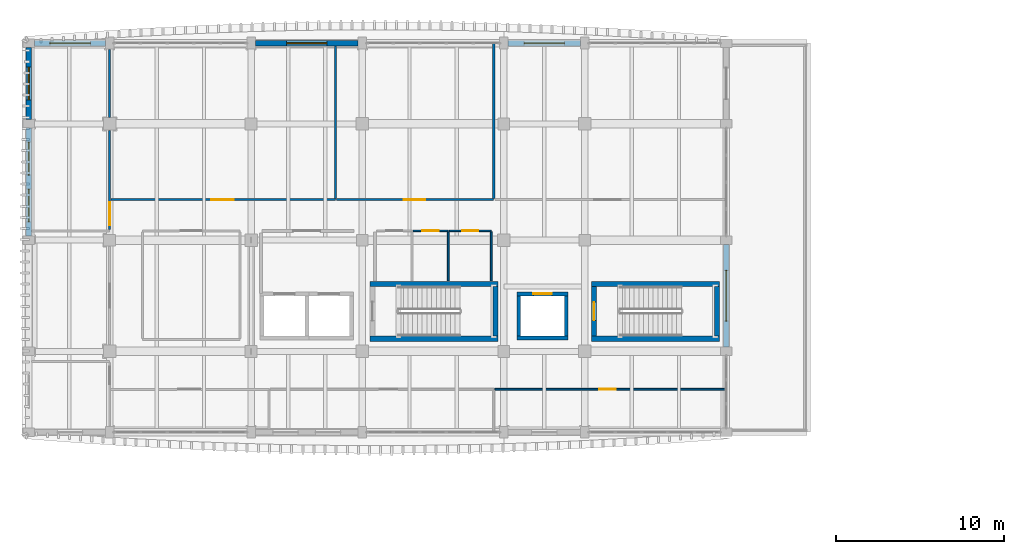
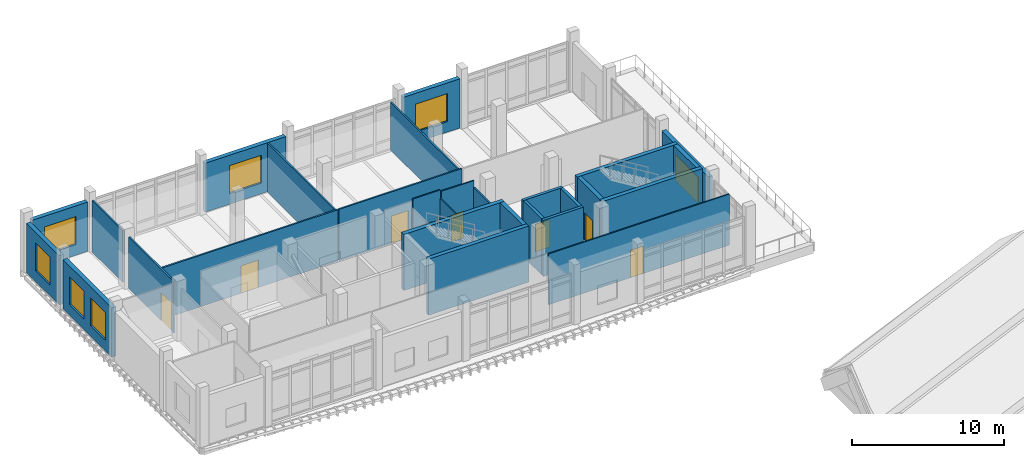
# One storey, part 28 of 50: 28 walls, 8 doors, 7 windows, 15 openings.
"""IFC4 building model written with IfcOpenShell, lengths in metres."""

from ifc_helpers import new_model, si_unit, direction, frame, frame_2d, origin, place, context, subcontext, project, spatial, rectangle, extrude, material, layer, layer_set, type_object, element, fill, save


model = new_model("IFC4")

# Units and contexts
model_context = context("Model", 3, precision=1e-05, world=origin(), true_north=direction((0.0, 1.0)))
body_context = subcontext(model_context, "Body", "Model", "MODEL_VIEW")
ifc_project = project(units=[si_unit("LENGTHUNIT", "METRE"), si_unit("AREAUNIT", "SQUARE_METRE"), si_unit("VOLUMEUNIT", "CUBIC_METRE"), si_unit("PLANEANGLEUNIT", "RADIAN"), si_unit("MASSUNIT", "GRAM", prefix="KILO")], contexts=[model_context])

# Site, building, storey
site_placement = place(None, origin())
site = spatial("IfcSite", under=ifc_project, at=site_placement, CompositionType="ELEMENT")
building_placement = place(site_placement, origin())
building = spatial("IfcBuilding", under=site, at=building_placement, Name="Dornvale Research Institute", CompositionType="ELEMENT")
storey_placement = place(building_placement, frame((0.0, 0.0, 19.800048828125)))
storey = spatial("IfcBuildingStorey", under=building, at=storey_placement, Name="L04", CompositionType="ELEMENT", Elevation=19.800048828125)

# Wall, opening, door
ifc_material_1 = material(Name="Acoustic Insulated Double-Stud Laboratory Partition")
ifc_layer_1 = layer(ifc_material_1, 0.1201171875)
ifc_layer_set_1 = layer_set([ifc_layer_1], Name="Acoustic Insulated Double-Stud Laboratory Partition")
wall_type_1 = type_object("IfcWallType", Name="Partition_Dry_120", PredefinedType="PARTITIONING", material=ifc_layer_set_1)
wall_1_placement = place(storey_placement, frame((4.800048828125, 111.02490234375, 0.0), z_axis=(0.0, 0.0, 1.0), x_axis=(0.0, 1.0, 0.0)))
wall_1 = element("IfcWall", 1, at=wall_1_placement, inside=storey, type_object=wall_type_1, Name="L04 V5 interior partition #413", PredefinedType="PARTITIONING", context=body_context, shape_type="SweptSolid", body=[
    extrude(rectangle(XDim=5.880126953125, YDim=0.1201171875, at=frame_2d((2.93994140625, 0.0))), origin(), (0.0, 0.0, 1.0), 4.1298828125),
])
opening_1_placement = place(wall_1_placement, frame((0.25, 0.0, 0.0)))
opening_1 = element("IfcOpeningElement", 2, at=opening_1_placement, cuts=wall_1, Name="Opening ID-08", PredefinedType="OPENING", context=body_context, shape_type="SweptSolid", body=[
    extrude(rectangle(XDim=1.3798828125, YDim=2.25, at=frame_2d((0.68994140625, 1.125))), frame((0.0, 0.074951171875, 0.0), z_axis=(0.0, -1.0, 0.0), x_axis=(1.0, 0.0, 0.0)), (0.0, 0.0, 1.0), 0.150146484375),
])
ifc_material_2 = material(Name="Insulated Fire-Rated Hollow Metal Door Assembly")
door_type_1 = type_object("IfcDoorType", Name="Door_DryLab_1380x2250", OperationType="SINGLE_SWING_LEFT", PredefinedType="DOOR", material=ifc_material_2)
door_1_placement = place(opening_1_placement, origin())
door_1 = element("IfcDoor", 3, at=door_1_placement, inside=storey, type_object=door_type_1, Name="L04 Climate Dynamics Simulation Laboratory West Alcove door #166", OperationType="SINGLE_SWING_LEFT", OverallHeight=2.25, OverallWidth=1.3798828125, PredefinedType="DOOR", context=body_context, shape_type="SweptSolid", body=[
    extrude(rectangle(XDim=1.3798828125, YDim=2.25, at=frame_2d((0.68994140625, 1.125))), frame((0.0, 0.02490234375, 0.0), z_axis=(0.0, -1.0, 0.0), x_axis=(1.0, 0.0, 0.0)), (0.0, 0.0, 1.0), 0.050048828125),
])
fill(opening_1, door_1)

# Wall
wall_2_placement = place(storey_placement, frame((4.800048828125, 117.695068359375, 0.0), z_axis=(0.0, 0.0, 1.0), x_axis=(0.0, 1.0, 0.0)))
element("IfcWall", 4, at=wall_2_placement, inside=storey, type_object=wall_type_1, Name="L04 V5 interior partition #414", PredefinedType="PARTITIONING", context=body_context, shape_type="SweptSolid", body=[
    extrude(rectangle(XDim=4.034912109375, YDim=0.1201171875, at=frame_2d((2.017578125, 0.0))), origin(), (0.0, 0.0, 1.0), 4.1298828125),
])

# Wall, opening, door
wall_3_placement = place(storey_placement, frame((4.875, 112.800048828125, 0.0), z_axis=(0.0, 0.0, 1.0), x_axis=(1.0, 0.0, 0.0)))
wall_3 = element("IfcWall", 5, at=wall_3_placement, inside=storey, type_object=wall_type_1, Name="L04 V5 interior partition #415", PredefinedType="PARTITIONING", context=body_context, shape_type="SweptSolid", body=[
    extrude(rectangle(XDim=13.324951171875, YDim=0.1201171875, at=frame_2d((6.66259765625, 0.0))), origin(), (0.0, 0.0, 1.0), 4.1298828125),
])
opening_2_placement = place(wall_3_placement, frame((5.965087890625, 0.0, 0.0)))
opening_2 = element("IfcOpeningElement", 6, at=opening_2_placement, cuts=wall_3, Name="Opening ID-09", PredefinedType="OPENING", context=body_context, shape_type="SweptSolid", body=[
    extrude(rectangle(XDim=1.320068359375, YDim=2.199951171875, at=frame_2d((0.66015625, 1.10009765625))), frame((0.0, 0.074951171875, 0.0), z_axis=(0.0, -1.0, 0.0), x_axis=(1.0, 0.0, 0.0)), (0.0, 0.0, 1.0), 0.150146484375),
])
ifc_material_3 = material(Name="Phenolic-Faced Solid-Core Laboratory Door Assembly")
door_type_2 = type_object("IfcDoorType", Name="Door_DryLab_1320x2200", OperationType="SINGLE_SWING_LEFT", PredefinedType="DOOR", material=ifc_material_3)
door_2_placement = place(opening_2_placement, origin())
door_2 = element("IfcDoor", 7, at=door_2_placement, inside=storey, type_object=door_type_2, Name="L04 Climate Dynamics Simulation Laboratory door #167", OperationType="SINGLE_SWING_RIGHT", OverallHeight=2.199951171875, OverallWidth=1.320068359375, PredefinedType="DOOR", context=body_context, shape_type="SweptSolid", body=[
    extrude(rectangle(XDim=1.320068359375, YDim=2.199951171875, at=frame_2d((0.66015625, 1.10009765625))), frame((0.0, 0.02490234375, 0.0), z_axis=(0.0, -1.0, 0.0), x_axis=(1.0, 0.0, 0.0)), (0.0, 0.0, 1.0), 0.050048828125),
])
fill(opening_2, door_2)

# Wall
wall_4_placement = place(storey_placement, frame((18.199951171875, 112.875, 0.0), z_axis=(0.0, 0.0, 1.0), x_axis=(0.0, 1.0, 0.0)))
element("IfcWall", 8, at=wall_4_placement, inside=storey, type_object=wall_type_1, Name="L04 V5 interior partition #416", PredefinedType="PARTITIONING", context=body_context, shape_type="SweptSolid", body=[
    extrude(rectangle(XDim=9.050048828125, YDim=0.1201171875, at=frame_2d((4.52490234375, 0.0))), origin(), (0.0, 0.0, 1.0), 3.929931640625),
])

# Wall, opening, door
wall_5_placement = place(storey_placement, frame((18.27490234375, 112.800048828125, 0.0), z_axis=(0.0, 0.0, 1.0), x_axis=(1.0, 0.0, 0.0)))
wall_5 = element("IfcWall", 9, at=wall_5_placement, inside=storey, type_object=wall_type_1, Name="L04 V5 interior partition #417", PredefinedType="PARTITIONING", context=body_context, shape_type="SweptSolid", body=[
    extrude(rectangle(XDim=9.3251953125, YDim=0.1201171875, at=frame_2d((4.66259765625, 0.0))), origin(), (0.0, 0.0, 1.0), 4.1298828125),
])
opening_3_placement = place(wall_5_placement, frame((3.9951171875, 0.0, 0.0)))
opening_3 = element("IfcOpeningElement", 10, at=opening_3_placement, cuts=wall_5, Name="Opening ID-10", PredefinedType="OPENING", context=body_context, shape_type="SweptSolid", body=[
    extrude(rectangle(XDim=1.260009765625, YDim=2.199951171875, at=frame_2d((0.6298828125, 1.10009765625))), frame((0.0, 0.074951171875, 0.0), z_axis=(0.0, -1.0, 0.0), x_axis=(1.0, 0.0, 0.0)), (0.0, 0.0, 1.0), 0.150146484375),
])
ifc_material_4 = material(Name="Phenolic-Faced Solid-Core Laboratory Door Assembly")
door_type_3 = type_object("IfcDoorType", Name="Door_DryLab_1260x2200", OperationType="SINGLE_SWING_LEFT", PredefinedType="DOOR", material=ifc_material_4)
door_3_placement = place(opening_3_placement, origin())
door_3 = element("IfcDoor", 11, at=door_3_placement, inside=storey, type_object=door_type_3, Name="L04 Statistical Genomics Laboratory door #168", OperationType="SINGLE_SWING_LEFT", OverallHeight=2.199951171875, OverallWidth=1.260009765625, PredefinedType="DOOR", context=body_context, shape_type="SweptSolid", body=[
    extrude(rectangle(XDim=1.260009765625, YDim=2.199951171875, at=frame_2d((0.6298828125, 1.10009765625))), frame((0.0, 0.02490234375, 0.0), z_axis=(0.0, -1.0, 0.0), x_axis=(1.0, 0.0, 0.0)), (0.0, 0.0, 1.0), 0.050048828125),
])
fill(opening_3, door_3)

# Wall
wall_6_placement = place(storey_placement, frame((27.60009765625, 112.875, 0.0), z_axis=(0.0, 0.0, 1.0), x_axis=(0.0, 1.0, 0.0)))
element("IfcWall", 12, at=wall_6_placement, inside=storey, type_object=wall_type_1, Name="L04 V5 interior partition #418", PredefinedType="PARTITIONING", context=body_context, shape_type="SweptSolid", body=[
    extrude(rectangle(XDim=9.18505859375, YDim=0.1201171875, at=frame_2d((4.592529296875, 0.0))), origin(), (0.0, 0.0, 1.0), 3.829833984375),
])

# Wall, opening, door
ifc_material_5 = material(Name="Acoustic Insulated Double-Stud Laboratory Partition")
ifc_layer_2 = layer(ifc_material_5, 0.10009765625)
ifc_layer_set_2 = layer_set([ifc_layer_2], Name="Acoustic Insulated Double-Stud Laboratory Partition")
wall_type_2 = type_object("IfcWallType", Name="Partition_Office_100", PredefinedType="PARTITIONING", material=ifc_layer_set_2)
wall_7_placement = place(storey_placement, frame((22.81494140625, 110.949951171875, 0.0), z_axis=(0.0, 0.0, 1.0), x_axis=(1.0, 0.0, 0.0)))
wall_7 = element("IfcWall", 13, at=wall_7_placement, inside=storey, type_object=wall_type_2, Name="L04 V5 interior partition #402", PredefinedType="PARTITIONING", context=body_context, shape_type="SweptSolid", body=[
    extrude(rectangle(XDim=2.0849609375, YDim=0.10009765625, at=frame_2d((1.04248046875, 0.0))), origin(), (0.0, 0.0, 1.0), 4.47998046875),
])
opening_4_placement = place(wall_7_placement, frame((0.534912109375, 0.0, 0.0)))
opening_4 = element("IfcOpeningElement", 14, at=opening_4_placement, cuts=wall_7, Name="Opening ID-24", PredefinedType="OPENING", context=body_context, shape_type="SweptSolid", body=[
    extrude(rectangle(XDim=1.0, YDim=2.14990234375, at=frame_2d((0.5, 1.074951171875))), frame((0.0, 0.06494140625, 0.0), z_axis=(0.0, -1.0, 0.0), x_axis=(1.0, 0.0, 0.0)), (0.0, 0.0, 1.0), 0.130126953125),
])
ifc_material_6 = material(Name="Phenolic-Faced Solid-Core Laboratory Door Assembly")
door_type_4 = type_object("IfcDoorType", Name="Door_AccWC_1000x2150", OperationType="SINGLE_SWING_LEFT", PredefinedType="DOOR", material=ifc_material_6)
door_4_placement = place(opening_4_placement, origin())
door_4 = element("IfcDoor", 15, at=door_4_placement, inside=storey, type_object=door_type_4, Name="L04 Female Restroom L04 door #162", OperationType="SINGLE_SWING_LEFT", OverallHeight=2.14990234375, OverallWidth=1.0, PredefinedType="DOOR", context=body_context, shape_type="SweptSolid", body=[
    extrude(rectangle(XDim=1.0, YDim=2.14990234375, at=frame_2d((0.5, 1.074951171875))), frame((0.0, 0.02490234375, 0.0), z_axis=(0.0, -1.0, 0.0), x_axis=(1.0, 0.0, 0.0)), (0.0, 0.0, 1.0), 0.050048828125),
])
fill(opening_4, door_4)

# Wall
wall_8_placement = place(storey_placement, frame((24.89990234375, 107.97998046875, 0.0), z_axis=(0.0, 0.0, 1.0), x_axis=(0.0, 1.0, 0.0)))
element("IfcWall", 16, at=wall_8_placement, inside=storey, type_object=wall_type_2, Name="L04 V5 interior partition #403", PredefinedType="PARTITIONING", context=body_context, shape_type="SweptSolid", body=[
    extrude(rectangle(XDim=2.905029296875, YDim=0.10009765625, at=frame_2d((1.45263671875, 0.0))), origin(), (0.0, 0.0, 1.0), 3.829833984375),
])

# Wall, opening, door
wall_9_placement = place(storey_placement, frame((24.965087890625, 110.949951171875, 0.0), z_axis=(0.0, 0.0, 1.0), x_axis=(1.0, 0.0, 0.0)))
wall_9 = element("IfcWall", 17, at=wall_9_placement, inside=storey, type_object=wall_type_2, Name="L04 V5 interior partition #404", PredefinedType="PARTITIONING", context=body_context, shape_type="SweptSolid", body=[
    extrude(rectangle(XDim=2.48486328125, YDim=0.10009765625, at=frame_2d((1.242431640625, 0.0))), origin(), (0.0, 0.0, 1.0), 4.344970703125),
])
opening_5_placement = place(wall_9_placement, frame((0.760009765625, 0.0, 0.0)))
opening_5 = element("IfcOpeningElement", 18, at=opening_5_placement, cuts=wall_9, Name="Opening ID-23", PredefinedType="OPENING", context=body_context, shape_type="SweptSolid", body=[
    extrude(rectangle(XDim=0.949951171875, YDim=2.14990234375, at=frame_2d((0.47509765625, 1.074951171875))), frame((0.0, 0.06494140625, 0.0), z_axis=(0.0, -1.0, 0.0), x_axis=(1.0, 0.0, 0.0)), (0.0, 0.0, 1.0), 0.130126953125),
])
ifc_material_7 = material(Name="Phenolic-Faced Solid-Core Laboratory Door Assembly")
door_type_5 = type_object("IfcDoorType", Name="Door_WC_950x2150", OperationType="SINGLE_SWING_LEFT", PredefinedType="DOOR", material=ifc_material_7)
door_5_placement = place(opening_5_placement, origin())
door_5 = element("IfcDoor", 19, at=door_5_placement, inside=storey, type_object=door_type_5, Name="L04 Accessible Restroom L04 door #163", OperationType="SINGLE_SWING_RIGHT", OverallHeight=2.14990234375, OverallWidth=0.949951171875, PredefinedType="DOOR", context=body_context, shape_type="SweptSolid", body=[
    extrude(rectangle(XDim=0.949951171875, YDim=2.14990234375, at=frame_2d((0.47509765625, 1.074951171875))), frame((0.0, 0.02490234375, 0.0), z_axis=(0.0, -1.0, 0.0), x_axis=(1.0, 0.0, 0.0)), (0.0, 0.0, 1.0), 0.050048828125),
])
fill(opening_5, door_5)

# Wall
wall_10_placement = place(storey_placement, frame((27.449951171875, 107.97998046875, 0.0), z_axis=(0.0, 0.0, 1.0), x_axis=(0.0, 1.0, 0.0)))
element("IfcWall", 20, at=wall_10_placement, inside=storey, type_object=wall_type_2, Name="L04 V5 interior partition #405", PredefinedType="PARTITIONING", context=body_context, shape_type="SweptSolid", body=[
    extrude(rectangle(XDim=2.905029296875, YDim=0.10009765625, at=frame_2d((1.45263671875, 0.0))), origin(), (0.0, 0.0, 1.0), 3.829833984375),
])

# Wall, opening, door
wall_11_placement = place(storey_placement, frame((27.6650390625, 101.550048828125, 0.0), z_axis=(0.0, 0.0, 1.0), x_axis=(1.0, 0.0, 0.0)))
wall_11 = element("IfcWall", 21, at=wall_11_placement, inside=storey, type_object=wall_type_2, Name="L04 V5 interior partition #425", PredefinedType="PARTITIONING", context=body_context, shape_type="SweptSolid", body=[
    extrude(rectangle(XDim=13.695068359375, YDim=0.10009765625, at=frame_2d((6.84765625, 0.0))), origin(), (0.0, 0.0, 1.0), 4.079833984375),
])
opening_6_placement = place(wall_11_placement, frame((6.205078125, 0.0, 0.0)))
opening_6 = element("IfcOpeningElement", 22, at=opening_6_placement, cuts=wall_11, Name="Opening ID-21", PredefinedType="OPENING", context=body_context, shape_type="SweptSolid", body=[
    extrude(rectangle(XDim=0.97998046875, YDim=2.199951171875, at=frame_2d((0.489990234375, 1.10009765625))), frame((0.0, 0.06494140625, 0.0), z_axis=(0.0, -1.0, 0.0), x_axis=(1.0, 0.0, 0.0)), (0.0, 0.0, 1.0), 0.130126953125),
])
ifc_material_8 = material(Name="Phenolic-Faced Solid-Core Laboratory Door Assembly")
door_type_6 = type_object("IfcDoorType", Name="Door_Office_980x2200", OperationType="SINGLE_SWING_LEFT", PredefinedType="DOOR", material=ifc_material_8)
door_6_placement = place(opening_6_placement, origin())
door_6 = element("IfcDoor", 23, at=door_6_placement, inside=storey, type_object=door_type_6, Name="L04 Principal Investigator Office L04 door #173", OperationType="SINGLE_SWING_RIGHT", OverallHeight=2.199951171875, OverallWidth=0.97998046875, PredefinedType="DOOR", context=body_context, shape_type="SweptSolid", body=[
    extrude(rectangle(XDim=0.97998046875, YDim=2.199951171875, at=frame_2d((0.489990234375, 1.10009765625))), frame((0.0, 0.02490234375, 0.0), z_axis=(0.0, -1.0, 0.0), x_axis=(1.0, 0.0, 0.0)), (0.0, 0.0, 1.0), 0.050048828125),
])
fill(opening_6, door_6)

# Walls
ifc_material_9 = material(Name="Concrete f'c 50 MPa (C40/50)", Category="concrete")
ifc_layer_3 = layer(ifc_material_9, 0.300048828125)
ifc_layer_set_3 = layer_set([ifc_layer_3], Name="Concrete f'c 50 MPa (C40/50)")
wall_type_3 = type_object("IfcWallType", Name="ShearWall_Core_300", PredefinedType="SHEAR", material=ifc_layer_set_3)
for number, where, z_axis, x_axis, name in (
    (24, (20.25, 104.550048828125, 0.0), (0.0, 0.0, 1.0), (1.0, 0.0, 0.0), "L04 ST-1 shaft shear wall south"),
    (25, (20.25, 107.81005859375, 0.0), (0.0, 0.0, 1.0), (1.0, 0.0, 0.0), "L04 ST-1 shaft shear wall north"),
):
    element("IfcWall", number, at=place(storey_placement, frame(where, z_axis=z_axis, x_axis=x_axis)), inside=storey, type_object=wall_type_3, Name=name, PredefinedType="SHEAR", context=body_context, shape_type="SweptSolid", body=[
        extrude(rectangle(XDim=7.60009765625, YDim=0.300048828125, at=frame_2d((3.800048828125, 0.0))), origin(), (0.0, 0.0, 1.0), 4.5),
    ])
wall_12_placement = place(storey_placement, frame((27.699951171875, 104.699951171875, 0.0), z_axis=(0.0, 0.0, 1.0), x_axis=(0.0, 1.0, 0.0)))
element("IfcWall", 26, at=wall_12_placement, inside=storey, type_object=wall_type_3, Name="L04 ST-1 shaft shear wall east", PredefinedType="SHEAR", context=body_context, shape_type="SweptSolid", body=[
    extrude(rectangle(XDim=2.9599609375, YDim=0.300048828125, at=frame_2d((1.47998046875, 0.0))), origin(), (0.0, 0.0, 1.0), 4.5),
])
for number, where, z_axis, x_axis, name in (
    (27, (33.39990234375, 104.550048828125, 0.0), (0.0, 0.0, 1.0), (1.0, 0.0, 0.0), "L04 ST-2 shaft shear wall south"),
    (28, (33.39990234375, 107.81005859375, 0.0), (0.0, 0.0, 1.0), (1.0, 0.0, 0.0), "L04 ST-2 shaft shear wall north"),
):
    element("IfcWall", number, at=place(storey_placement, frame(where, z_axis=z_axis, x_axis=x_axis)), inside=storey, type_object=wall_type_3, Name=name, PredefinedType="SHEAR", context=body_context, shape_type="SweptSolid", body=[
        extrude(rectangle(XDim=7.60009765625, YDim=0.300048828125, at=frame_2d((3.800048828125, 0.0))), origin(), (0.0, 0.0, 1.0), 4.5),
    ])

# Wall, opening, door
wall_13_placement = place(storey_placement, frame((33.550048828125, 104.699951171875, 0.0), z_axis=(0.0, 0.0, 1.0), x_axis=(0.0, 1.0, 0.0)))
wall_13 = element("IfcWall", 29, at=wall_13_placement, inside=storey, type_object=wall_type_3, Name="L04 ST-2 shaft shear wall west", PredefinedType="SHEAR", context=body_context, shape_type="SweptSolid", body=[
    extrude(rectangle(XDim=2.9599609375, YDim=0.300048828125, at=frame_2d((1.47998046875, 0.0))), origin(), (0.0, 0.0, 1.0), 4.5),
])
opening_7_placement = place(wall_13_placement, frame((0.93994140625, 0.0, 0.0)))
opening_7 = element("IfcOpeningElement", 30, at=opening_7_placement, cuts=wall_13, Name="Opening SD-02", PredefinedType="OPENING", context=body_context, shape_type="SweptSolid", body=[
    extrude(rectangle(XDim=1.080078125, YDim=2.199951171875, at=frame_2d((0.5400390625, 1.10009765625))), frame((0.0, 0.1650390625, 0.0), z_axis=(0.0, -1.0, 0.0), x_axis=(1.0, 0.0, 0.0)), (0.0, 0.0, 1.0), 0.330078125),
])
ifc_material_10 = material(Name="Insulated Fire-Rated Hollow Metal Door Assembly")
door_type_7 = type_object("IfcDoorType", Name="Door_Stair_1080x2200", OperationType="SINGLE_SWING_LEFT", PredefinedType="DOOR", material=ifc_material_10)
door_7_placement = place(opening_7_placement, origin())
door_7 = element("IfcDoor", 31, at=door_7_placement, inside=storey, type_object=door_type_7, Name="L04 ST-2 exit stair door #18", OperationType="SINGLE_SWING_LEFT", OverallHeight=2.199951171875, OverallWidth=1.080078125, PredefinedType="DOOR", context=body_context, shape_type="SweptSolid", body=[
    extrude(rectangle(XDim=1.080078125, YDim=2.199951171875, at=frame_2d((0.5400390625, 1.10009765625))), frame((0.0, 0.02490234375, 0.0), z_axis=(0.0, -1.0, 0.0), x_axis=(1.0, 0.0, 0.0)), (0.0, 0.0, 1.0), 0.050048828125),
])
fill(opening_7, door_7)

# Walls
wall_14_placement = place(storey_placement, frame((40.85009765625, 104.699951171875, 0.0), z_axis=(0.0, 0.0, 1.0), x_axis=(0.0, 1.0, 0.0)))
element("IfcWall", 32, at=wall_14_placement, inside=storey, type_object=wall_type_3, Name="L04 ST-2 shaft shear wall east", PredefinedType="SHEAR", context=body_context, shape_type="SweptSolid", body=[
    extrude(rectangle(XDim=2.9599609375, YDim=0.300048828125, at=frame_2d((1.47998046875, 0.0))), origin(), (0.0, 0.0, 1.0), 4.5),
])
ifc_material_11 = material(Name="Concrete f'c 45 MPa (C35/45)", Category="concrete")
ifc_layer_4 = layer(ifc_material_11, 0.219970703125)
ifc_layer_set_4 = layer_set([ifc_layer_4], Name="Concrete f'c 45 MPa (C35/45)")
wall_type_4 = type_object("IfcWallType", Name="ShearWall_Shaft_220", PredefinedType="SHEAR", material=ifc_layer_set_4)
wall_15_placement = place(storey_placement, frame((28.97998046875, 104.590087890625, 0.0), z_axis=(0.0, 0.0, 1.0), x_axis=(1.0, 0.0, 0.0)))
element("IfcWall", 33, at=wall_15_placement, inside=storey, type_object=wall_type_4, Name="L04 LP1 elevator shaft wall south", PredefinedType="SHEAR", context=body_context, shape_type="SweptSolid", body=[
    extrude(rectangle(XDim=3.0400390625, YDim=0.219970703125, at=frame_2d((1.52001953125, 0.0))), origin(), (0.0, 0.0, 1.0), 4.5),
])

# Wall, opening, door
wall_16_placement = place(storey_placement, frame((28.97998046875, 107.2099609375, 0.0), z_axis=(0.0, 0.0, 1.0), x_axis=(1.0, 0.0, 0.0)))
wall_16 = element("IfcWall", 34, at=wall_16_placement, inside=storey, type_object=wall_type_4, Name="L04 LP1 elevator shaft wall north", PredefinedType="SHEAR", context=body_context, shape_type="SweptSolid", body=[
    extrude(rectangle(XDim=3.0400390625, YDim=0.219970703125, at=frame_2d((1.52001953125, 0.0))), origin(), (0.0, 0.0, 1.0), 4.5),
])
opening_8_placement = place(wall_16_placement, frame((0.969970703125, 0.0, 0.0)))
opening_8 = element("IfcOpeningElement", 35, at=opening_8_placement, cuts=wall_16, Name="Opening LD-02", PredefinedType="OPENING", context=body_context, shape_type="SweptSolid", body=[
    extrude(rectangle(XDim=1.10009765625, YDim=2.199951171875, at=frame_2d((0.550048828125, 1.10009765625))), frame((0.0, 0.125, 0.0), z_axis=(0.0, -1.0, 0.0), x_axis=(1.0, 0.0, 0.0)), (0.0, 0.0, 1.0), 0.25),
])
ifc_material_12 = material(Name="Brushed Stainless Steel Sliding Elevator Landing Door", Category="steel")
door_type_8 = type_object("IfcDoorType", Name="Door_LiftLanding_Pass_1100x2200", OperationType="SINGLE_SWING_LEFT", PredefinedType="DOOR", material=ifc_material_12)
door_8_placement = place(opening_8_placement, origin())
door_8 = element("IfcDoor", 36, at=door_8_placement, inside=storey, type_object=door_type_8, Name="L04 LP1 sliding elevator landing door #30", OperationType="SLIDING_TO_LEFT", OverallHeight=2.199951171875, OverallWidth=1.10009765625, PredefinedType="DOOR", context=body_context, shape_type="SweptSolid", body=[
    extrude(rectangle(XDim=1.10009765625, YDim=2.199951171875, at=frame_2d((0.550048828125, 1.10009765625))), frame((0.0, 0.02490234375, 0.0), z_axis=(0.0, -1.0, 0.0), x_axis=(1.0, 0.0, 0.0)), (0.0, 0.0, 1.0), 0.050048828125),
])
fill(opening_8, door_8)

# Walls
for number, where, z_axis, x_axis, name in (
    (37, (29.090087890625, 104.699951171875, 0.0), (0.0, 0.0, 1.0), (0.0, 1.0, 0.0), "L04 LP1 elevator shaft wall west"),
    (38, (31.909912109375, 104.699951171875, 0.0), (0.0, 0.0, 1.0), (0.0, 1.0, 0.0), "L04 LP1 elevator shaft wall east"),
):
    element("IfcWall", number, at=place(storey_placement, frame(where, z_axis=z_axis, x_axis=x_axis)), inside=storey, type_object=wall_type_4, Name=name, PredefinedType="SHEAR", context=body_context, shape_type="SweptSolid", body=[
        extrude(rectangle(XDim=2.400146484375, YDim=0.219970703125, at=frame_2d((1.2001953125, 0.0))), origin(), (0.0, 0.0, 1.0), 4.5),
    ])

# Wall, openings, windows
ifc_material_13 = material(Name="Catalan Pressed Brick and Insulated Cavity Assembly", Category="masonry")
ifc_layer_5 = layer(ifc_material_13, 0.320068359375)
ifc_layer_set_5 = layer_set([ifc_layer_5], Name="Catalan Pressed Brick and Insulated Cavity Assembly")
wall_type_5 = type_object("IfcWallType", Name="StandardWall_BrickCavity_320", PredefinedType="STANDARD", material=ifc_layer_set_5)
wall_17_placement = place(storey_placement, frame((0.0, 110.64990234375, 0.0), z_axis=(0.0, 0.0, 1.0), x_axis=(0.0, 1.0, 0.0)))
wall_17 = element("IfcWall", 39, at=wall_17_placement, inside=storey, type_object=wall_type_5, Name="L04 V5 west exterior wall #347", PredefinedType="STANDARD", context=body_context, shape_type="SweptSolid", body=[
    extrude(rectangle(XDim=6.400146484375, YDim=0.320068359375, at=frame_2d((3.2001953125, 0.0))), origin(), (0.0, 0.0, 1.0), 3.949951171875),
])
opening_9_placement = place(wall_17_placement, frame((0.833251953125, 0.0, 0.85009765625)))
opening_9 = element("IfcOpeningElement", 40, at=opening_9_placement, cuts=wall_17, Name="Opening W-42", PredefinedType="OPENING", context=body_context, shape_type="SweptSolid", body=[
    extrude(rectangle(XDim=1.949951171875, YDim=2.239990234375, at=frame_2d((0.97509765625, 1.1201171875))), frame((0.0, 0.175048828125, 0.0), z_axis=(0.0, -1.0, 0.0), x_axis=(1.0, 0.0, 0.0)), (0.0, 0.0, 1.0), 0.35009765625),
])
opening_10_placement = place(wall_17_placement, frame((3.61669921875, 0.0, 0.85009765625)))
opening_10 = element("IfcOpeningElement", 41, at=opening_10_placement, cuts=wall_17, Name="Opening W-42", PredefinedType="OPENING", context=body_context, shape_type="SweptSolid", body=[
    extrude(rectangle(XDim=1.949951171875, YDim=2.239990234375, at=frame_2d((0.97509765625, 1.1201171875))), frame((0.0, 0.175048828125, 0.0), z_axis=(0.0, -1.0, 0.0), x_axis=(1.0, 0.0, 0.0)), (0.0, 0.0, 1.0), 0.35009765625),
])
ifc_material_14 = material(Name="Low-E Argon Double Insulating Glazing Unit", Category="glass")
window_type_1 = type_object("IfcWindowType", Name="Window_Alu_1950x2240_42", PartitioningType="DOUBLE_PANEL_VERTICAL", PredefinedType="WINDOW", material=ifc_material_14)
window_1_placement = place(opening_9_placement, origin())
window_1 = element("IfcWindow", 42, at=window_1_placement, inside=storey, type_object=window_type_1, Name="L04 V5 facade window W-42 #467", OverallHeight=2.239990234375, OverallWidth=1.949951171875, PartitioningType="DOUBLE_PANEL_VERTICAL", PredefinedType="WINDOW", context=body_context, shape_type="SweptSolid", body=[
    extrude(rectangle(XDim=1.949951171875, YDim=2.239990234375, at=frame_2d((0.97509765625, 1.1201171875))), frame((0.0, 0.030029296875, 0.0), z_axis=(0.0, -1.0, 0.0), x_axis=(1.0, 0.0, 0.0)), (0.0, 0.0, 1.0), 0.06005859375),
])
fill(opening_9, window_1)
window_2_placement = place(opening_10_placement, origin())
window_2 = element("IfcWindow", 43, at=window_2_placement, inside=storey, type_object=window_type_1, Name="L04 V5 facade window W-42 #468", OverallHeight=2.239990234375, OverallWidth=1.949951171875, PartitioningType="DOUBLE_PANEL_VERTICAL", PredefinedType="WINDOW", context=body_context, shape_type="SweptSolid", body=[
    extrude(rectangle(XDim=1.949951171875, YDim=2.239990234375, at=frame_2d((0.97509765625, 1.1201171875))), frame((0.0, 0.030029296875, 0.0), z_axis=(0.0, -1.0, 0.0), x_axis=(1.0, 0.0, 0.0)), (0.0, 0.0, 1.0), 0.06005859375),
])
fill(opening_10, window_2)

# Wall, opening, window
wall_18_placement = place(storey_placement, frame((0.0, 117.550048828125, 0.0), z_axis=(0.0, 0.0, 1.0), x_axis=(0.0, 1.0, 0.0)))
wall_18 = element("IfcWall", 44, at=wall_18_placement, inside=storey, type_object=wall_type_5, Name="L04 V5 west exterior wall #348", PredefinedType="STANDARD", context=body_context, shape_type="SweptSolid", body=[
    extrude(rectangle(XDim=4.300048828125, YDim=0.320068359375, at=frame_2d((2.14990234375, 0.0))), origin(), (0.0, 0.0, 1.0), 3.949951171875),
])
opening_11_placement = place(wall_18_placement, frame((1.175048828125, 0.0, 0.85009765625)))
opening_11 = element("IfcOpeningElement", 45, at=opening_11_placement, cuts=wall_18, Name="Opening W-42", PredefinedType="OPENING", context=body_context, shape_type="SweptSolid", body=[
    extrude(rectangle(XDim=1.949951171875, YDim=2.239990234375, at=frame_2d((0.97509765625, 1.1201171875))), frame((0.0, 0.175048828125, 0.0), z_axis=(0.0, -1.0, 0.0), x_axis=(1.0, 0.0, 0.0)), (0.0, 0.0, 1.0), 0.35009765625),
])
window_3_placement = place(opening_11_placement, origin())
window_3 = element("IfcWindow", 46, at=window_3_placement, inside=storey, type_object=window_type_1, Name="L04 V5 facade window W-42 #469", OverallHeight=2.239990234375, OverallWidth=1.949951171875, PartitioningType="DOUBLE_PANEL_VERTICAL", PredefinedType="WINDOW", context=body_context, shape_type="SweptSolid", body=[
    extrude(rectangle(XDim=1.949951171875, YDim=2.239990234375, at=frame_2d((0.97509765625, 1.1201171875))), frame((0.0, 0.030029296875, 0.0), z_axis=(0.0, -1.0, 0.0), x_axis=(1.0, 0.0, 0.0)), (0.0, 0.0, 1.0), 0.06005859375),
])
fill(opening_11, window_3)

wall_19_placement = place(storey_placement, frame((0.35009765625, 122.10009765625, 0.0), z_axis=(0.0, 0.0, 1.0), x_axis=(1.0, 0.0, 0.0)))
wall_19 = element("IfcWall", 47, at=wall_19_placement, inside=storey, type_object=wall_type_5, Name="L04 V5 north exterior wall #349", PredefinedType="STANDARD", context=body_context, shape_type="SweptSolid", body=[
    extrude(rectangle(XDim=4.199951171875, YDim=0.320068359375, at=frame_2d((2.10009765625, 0.0))), origin(), (0.0, 0.0, 1.0), 3.949951171875),
])
opening_12_placement = place(wall_19_placement, frame((0.89990234375, 0.0, 0.85009765625)))
opening_12 = element("IfcOpeningElement", 48, at=opening_12_placement, cuts=wall_19, Name="Opening W-45", PredefinedType="OPENING", context=body_context, shape_type="SweptSolid", body=[
    extrude(rectangle(XDim=2.39990234375, YDim=2.239990234375, at=frame_2d((1.199951171875, 1.1201171875))), frame((0.0, 0.175048828125, 0.0), z_axis=(0.0, -1.0, 0.0), x_axis=(1.0, 0.0, 0.0)), (0.0, 0.0, 1.0), 0.35009765625),
])
ifc_material_15 = material(Name="Low-E Argon Double Insulating Glazing Unit", Category="glass")
window_type_2 = type_object("IfcWindowType", Name="Window_Alu_2400x2240_45", PartitioningType="DOUBLE_PANEL_VERTICAL", PredefinedType="WINDOW", material=ifc_material_15)
window_4_placement = place(opening_12_placement, origin())
window_4 = element("IfcWindow", 49, at=window_4_placement, inside=storey, type_object=window_type_2, Name="L04 V5 facade window W-45 #470", OverallHeight=2.239990234375, OverallWidth=2.39990234375, PartitioningType="DOUBLE_PANEL_VERTICAL", PredefinedType="WINDOW", context=body_context, shape_type="SweptSolid", body=[
    extrude(rectangle(XDim=2.39990234375, YDim=2.239990234375, at=frame_2d((1.199951171875, 1.1201171875))), frame((0.0, 0.030029296875, 0.0), z_axis=(0.0, -1.0, 0.0), x_axis=(1.0, 0.0, 0.0)), (0.0, 0.0, 1.0), 0.06005859375),
])
fill(opening_12, window_4)

wall_20_placement = place(storey_placement, frame((13.449951171875, 122.10009765625, 0.0), z_axis=(0.0, 0.0, 1.0), x_axis=(1.0, 0.0, 0.0)))
wall_20 = element("IfcWall", 50, at=wall_20_placement, inside=storey, type_object=wall_type_5, Name="L04 V5 north exterior wall #350", PredefinedType="STANDARD", context=body_context, shape_type="SweptSolid", body=[
    extrude(rectangle(XDim=6.10009765625, YDim=0.320068359375, at=frame_2d((3.050048828125, 0.0))), origin(), (0.0, 0.0, 1.0), 3.929931640625),
])
opening_13_placement = place(wall_20_placement, frame((1.85009765625, 0.0, 0.85009765625)))
opening_13 = element("IfcOpeningElement", 51, at=opening_13_placement, cuts=wall_20, Name="Opening W-45", PredefinedType="OPENING", context=body_context, shape_type="SweptSolid", body=[
    extrude(rectangle(XDim=2.39990234375, YDim=2.239990234375, at=frame_2d((1.199951171875, 1.1201171875))), frame((0.0, 0.175048828125, 0.0), z_axis=(0.0, -1.0, 0.0), x_axis=(1.0, 0.0, 0.0)), (0.0, 0.0, 1.0), 0.35009765625),
])
window_5_placement = place(opening_13_placement, origin())
window_5 = element("IfcWindow", 52, at=window_5_placement, inside=storey, type_object=window_type_2, Name="L04 V5 facade window W-45 #471", OverallHeight=2.239990234375, OverallWidth=2.39990234375, PartitioningType="DOUBLE_PANEL_VERTICAL", PredefinedType="WINDOW", context=body_context, shape_type="SweptSolid", body=[
    extrude(rectangle(XDim=2.39990234375, YDim=2.239990234375, at=frame_2d((1.199951171875, 1.1201171875))), frame((0.0, 0.030029296875, 0.0), z_axis=(0.0, -1.0, 0.0), x_axis=(1.0, 0.0, 0.0)), (0.0, 0.0, 1.0), 0.06005859375),
])
fill(opening_13, window_5)

wall_21_placement = place(storey_placement, frame((28.449951171875, 122.10009765625, 0.0), z_axis=(0.0, 0.0, 1.0), x_axis=(1.0, 0.0, 0.0)))
wall_21 = element("IfcWall", 53, at=wall_21_placement, inside=storey, type_object=wall_type_5, Name="L04 V5 north exterior wall #351", PredefinedType="STANDARD", context=body_context, shape_type="SweptSolid", body=[
    extrude(rectangle(XDim=4.300048828125, YDim=0.320068359375, at=frame_2d((2.14990234375, 0.0))), origin(), (0.0, 0.0, 1.0), 3.949951171875),
])
opening_14_placement = place(wall_21_placement, frame((0.949951171875, 0.0, 0.85009765625)))
opening_14 = element("IfcOpeningElement", 54, at=opening_14_placement, cuts=wall_21, Name="Opening W-45", PredefinedType="OPENING", context=body_context, shape_type="SweptSolid", body=[
    extrude(rectangle(XDim=2.39990234375, YDim=2.239990234375, at=frame_2d((1.199951171875, 1.1201171875))), frame((0.0, 0.175048828125, 0.0), z_axis=(0.0, -1.0, 0.0), x_axis=(1.0, 0.0, 0.0)), (0.0, 0.0, 1.0), 0.35009765625),
])
window_6_placement = place(opening_14_placement, origin())
window_6 = element("IfcWindow", 55, at=window_6_placement, inside=storey, type_object=window_type_2, Name="L04 V5 facade window W-45 #472", OverallHeight=2.239990234375, OverallWidth=2.39990234375, PartitioningType="DOUBLE_PANEL_VERTICAL", PredefinedType="WINDOW", context=body_context, shape_type="SweptSolid", body=[
    extrude(rectangle(XDim=2.39990234375, YDim=2.239990234375, at=frame_2d((1.199951171875, 1.1201171875))), frame((0.0, 0.030029296875, 0.0), z_axis=(0.0, -1.0, 0.0), x_axis=(1.0, 0.0, 0.0)), (0.0, 0.0, 1.0), 0.06005859375),
])
fill(opening_14, window_6)

wall_22_placement = place(storey_placement, frame((41.39990234375, 110.14990234375, 0.0), z_axis=(0.0, 0.0, 1.0), x_axis=(0.0, -1.0, 0.0)))
wall_22 = element("IfcWall", 56, at=wall_22_placement, inside=storey, type_object=wall_type_5, Name="L04 V5 east exterior wall #353", PredefinedType="STANDARD", context=body_context, shape_type="SweptSolid", body=[
    extrude(rectangle(XDim=6.099853515625, YDim=0.320068359375, at=frame_2d((3.0498046875, 0.0))), origin(), (0.0, 0.0, 1.0), 3.949951171875),
])
opening_15_placement = place(wall_22_placement, frame((1.550048828125, 0.0, 0.85009765625)))
opening_15 = element("IfcOpeningElement", 57, at=opening_15_placement, cuts=wall_22, Name="Opening W-48", PredefinedType="OPENING", context=body_context, shape_type="SweptSolid", body=[
    extrude(rectangle(XDim=3.0, YDim=2.080078125, at=frame_2d((1.5, 1.0400390625))), frame((0.0, 0.175048828125, 0.0), z_axis=(0.0, -1.0, 0.0), x_axis=(1.0, 0.0, 0.0)), (0.0, 0.0, 1.0), 0.35009765625),
])
ifc_material_16 = material(Name="Low-E Argon Double Insulating Glazing Unit", Category="glass")
window_type_3 = type_object("IfcWindowType", Name="Window_Alu_3000x2080_48", PartitioningType="DOUBLE_PANEL_VERTICAL", PredefinedType="WINDOW", material=ifc_material_16)
window_7_placement = place(opening_15_placement, origin())
window_7 = element("IfcWindow", 58, at=window_7_placement, inside=storey, type_object=window_type_3, Name="L04 V5 facade window W-48 #473", OverallHeight=2.080078125, OverallWidth=3.0, PartitioningType="DOUBLE_PANEL_VERTICAL", PredefinedType="WINDOW", context=body_context, shape_type="SweptSolid", body=[
    extrude(rectangle(XDim=3.0, YDim=2.080078125, at=frame_2d((1.5, 1.0400390625))), frame((0.0, 0.030029296875, 0.0), z_axis=(0.0, -1.0, 0.0), x_axis=(1.0, 0.0, 0.0)), (0.0, 0.0, 1.0), 0.06005859375),
])
fill(opening_15, window_7)

save(model, "model.ifc")
